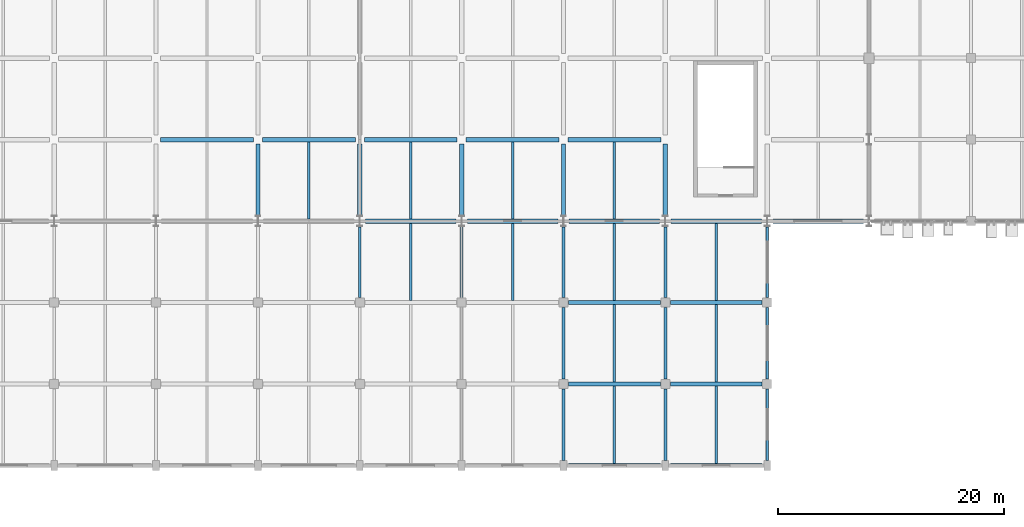
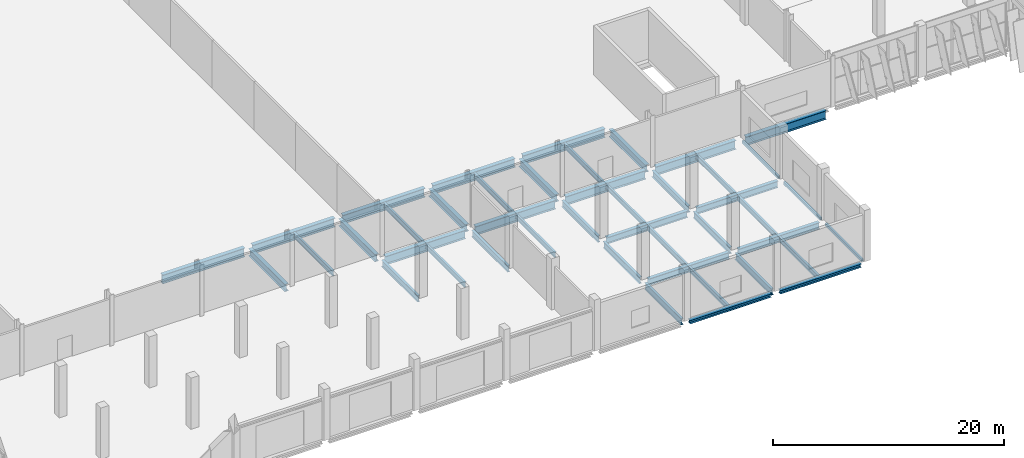
# One storey, part 19 of 137: 44 beams.
"""IFC4 building model written with IfcOpenShell, lengths in metres."""

from ifc_helpers import new_model, si_unit, direction, frame, origin, origin_2d, place, context, subcontext, project, spatial, hollow_rectangle, i_section, extrude, material, material_profile, profile_set, type_object, element, save


model = new_model("IFC4")

# Units and contexts
model_context = context("Model", 3, precision=1e-05, world=origin(), true_north=direction((0.0, 1.0)))
body_context = subcontext(model_context, "Body", "Model", "MODEL_VIEW")
ifc_project = project(units=[si_unit("LENGTHUNIT", "METRE"), si_unit("AREAUNIT", "SQUARE_METRE"), si_unit("VOLUMEUNIT", "CUBIC_METRE"), si_unit("PLANEANGLEUNIT", "RADIAN"), si_unit("MASSUNIT", "GRAM", prefix="KILO")], contexts=[model_context])

# Site, building, storey
site_placement = place(None, origin())
site = spatial("IfcSite", under=ifc_project, at=site_placement, CompositionType="ELEMENT")
building_placement = place(site_placement, origin())
building = spatial("IfcBuilding", under=site, at=building_placement, Name="Celestram Park Convention Centre", CompositionType="ELEMENT")
storey_placement = place(building_placement, origin())
storey = spatial("IfcBuildingStorey", under=building, at=storey_placement, Name="L00", CompositionType="ELEMENT", Elevation=0.0)

# Beams
ifc_material_1 = material(Name="Steel ASTM A992 Grade 50", Category="steel")
ifc_material_profile_1 = material_profile(ifc_material_1, i_section(OverallWidth=0.35595703125, OverallDepth=0.696044921875, WebThickness=0.015380859375, FlangeThickness=0.02490234375, at=origin_2d()), Name="W27X146")
ifc_profile_set_1 = profile_set([ifc_material_profile_1], Name="Steel ASTM A992 Grade 50")
beam_type_1 = type_object("IfcBeamType", Name="STR-BM-W27X146", PredefinedType="BEAM", material=ifc_profile_set_1)
for number, where, z_axis, x_axis, name in (
    (1, (99.447998046875, 7.199951171875, -0.66796875), (1.0, 0.0, 0.0), (0.0, 1.0, 0.0), "Primary X-girder BG-L00-0453"),
    (2, (99.447998046875, 14.39990234375, -0.66796875), (1.0, 0.0, 0.0), (0.0, 1.0, 0.0), "Primary X-girder BG-L00-0455"),
    (3, (108.447998046875, 7.199951171875, -0.66796875), (1.0, 0.0, 0.0), (0.0, 1.0, 0.0), "Primary X-girder BG-L00-0499"),
    (4, (108.447998046875, 14.39990234375, -0.66796875), (1.0, 0.0, 0.0), (0.0, 1.0, 0.0), "Primary X-girder BG-L00-0501"),
):
    element("IfcBeam", number, at=place(storey_placement, frame(where, z_axis=z_axis, x_axis=x_axis)), inside=storey, type_object=beam_type_1, Name=name, PredefinedType="BEAM", context=body_context, shape_type="SweptSolid", body=[
        extrude(i_section(OverallWidth=0.35595703125, OverallDepth=0.696044921875, WebThickness=0.015380859375, FlangeThickness=0.02490234375, at=origin_2d()), origin(), (0.0, 0.0, 1.0), 8.10400390625),
    ])
ifc_material_profile_2 = material_profile(ifc_material_1, i_section(OverallWidth=0.25390625, OverallDepth=0.68310546875, WebThickness=0.012451171875, FlangeThickness=0.01904296875, at=origin_2d()), Name="W27X94")
ifc_profile_set_2 = profile_set([ifc_material_profile_2], Name="Steel ASTM A992 Grade 50")
beam_type_2 = type_object("IfcBeamType", Name="STR-BM-W27X94", PredefinedType="BEAM", material=ifc_profile_set_2)
for number, where, z_axis, x_axis, name in (
    (5, (81.0, 14.847900390625, -0.66162109375), (0.0, 1.0, 0.0), (-1.0, 0.0, 0.0), "Primary Y-girder BG-L00-0366"),
    (6, (90.0, 14.847900390625, -0.66162109375), (0.0, 1.0, 0.0), (-1.0, 0.0, 0.0), "Primary Y-girder BG-L00-0411"),
):
    element("IfcBeam", number, at=place(storey_placement, frame(where, z_axis=z_axis, x_axis=x_axis)), inside=storey, type_object=beam_type_2, Name=name, PredefinedType="BEAM", context=body_context, shape_type="SweptSolid", body=[
        extrude(i_section(OverallWidth=0.25390625, OverallDepth=0.68310546875, WebThickness=0.012451171875, FlangeThickness=0.01904296875, at=origin_2d()), origin(), (0.0, 0.0, 1.0), 6.254150390625),
    ])
for number, where, z_axis, x_axis, name in (
    (7, (99.0, 0.447998046875, -0.66162109375), (0.0, 1.0, 0.0), (-1.0, 0.0, 0.0), "Primary Y-girder BG-L00-0452"),
    (8, (99.0, 7.64794921875, -0.66162109375), (0.0, 1.0, 0.0), (-1.0, 0.0, 0.0), "Primary Y-girder BG-L00-0454"),
):
    element("IfcBeam", number, at=place(storey_placement, frame(where, z_axis=z_axis, x_axis=x_axis)), inside=storey, type_object=beam_type_2, Name=name, PredefinedType="BEAM", context=body_context, shape_type="SweptSolid", body=[
        extrude(i_section(OverallWidth=0.25390625, OverallDepth=0.68310546875, WebThickness=0.012451171875, FlangeThickness=0.01904296875, at=origin_2d()), origin(), (0.0, 0.0, 1.0), 6.303955078125),
    ])
beam_1_placement = place(storey_placement, frame((99.0, 14.847900390625, -0.66162109375), z_axis=(0.0, 1.0, 0.0), x_axis=(-1.0, 0.0, 0.0)))
element("IfcBeam", 9, at=beam_1_placement, inside=storey, type_object=beam_type_2, Name="Primary Y-girder BG-L00-0456", PredefinedType="BEAM", context=body_context, shape_type="SweptSolid", body=[
    extrude(i_section(OverallWidth=0.25390625, OverallDepth=0.68310546875, WebThickness=0.012451171875, FlangeThickness=0.01904296875, at=origin_2d()), origin(), (0.0, 0.0, 1.0), 6.254150390625),
])
for number, where, z_axis, x_axis, name in (
    (10, (108.0, 0.447998046875, -0.66162109375), (0.0, 1.0, 0.0), (-1.0, 0.0, 0.0), "Primary Y-girder BG-L00-0498"),
    (11, (108.0, 7.64794921875, -0.66162109375), (0.0, 1.0, 0.0), (-1.0, 0.0, 0.0), "Primary Y-girder BG-L00-0500"),
):
    element("IfcBeam", number, at=place(storey_placement, frame(where, z_axis=z_axis, x_axis=x_axis)), inside=storey, type_object=beam_type_2, Name=name, PredefinedType="BEAM", context=body_context, shape_type="SweptSolid", body=[
        extrude(i_section(OverallWidth=0.25390625, OverallDepth=0.68310546875, WebThickness=0.012451171875, FlangeThickness=0.01904296875, at=origin_2d()), origin(), (0.0, 0.0, 1.0), 6.303955078125),
    ])
beam_2_placement = place(storey_placement, frame((108.0, 14.847900390625, -0.66162109375), z_axis=(0.0, 1.0, 0.0), x_axis=(-1.0, 0.0, 0.0)))
element("IfcBeam", 12, at=beam_2_placement, inside=storey, type_object=beam_type_2, Name="Primary Y-girder BG-L00-0502", PredefinedType="BEAM", context=body_context, shape_type="SweptSolid", body=[
    extrude(i_section(OverallWidth=0.25390625, OverallDepth=0.68310546875, WebThickness=0.012451171875, FlangeThickness=0.01904296875, at=origin_2d()), origin(), (0.0, 0.0, 1.0), 6.254150390625),
])
ifc_material_profile_3 = material_profile(ifc_material_1, i_section(OverallWidth=0.381103515625, OverallDepth=0.77197265625, WebThickness=0.0166015625, FlangeThickness=0.027099609375, at=origin_2d()), Name="W30X173")
ifc_profile_set_3 = profile_set([ifc_material_profile_3], Name="Steel ASTM A992 Grade 50")
beam_type_3 = type_object("IfcBeamType", Name="STR-BM-W30X173", PredefinedType="BEAM", material=ifc_profile_set_3)
for number, where, z_axis, x_axis, name in (
    (13, (72.0, 22.097900390625, -0.74609375), (0.0, 1.0, 0.0), (-1.0, 0.0, 0.0), "Primary Y-girder BG-L00-0321"),
    (14, (81.0, 22.097900390625, -0.74609375), (0.0, 1.0, 0.0), (-1.0, 0.0, 0.0), "Primary Y-girder BG-L00-0368"),
    (15, (90.0, 22.097900390625, -0.74609375), (0.0, 1.0, 0.0), (-1.0, 0.0, 0.0), "Primary Y-girder BG-L00-0413"),
    (16, (99.0, 22.097900390625, -0.74609375), (0.0, 1.0, 0.0), (-1.0, 0.0, 0.0), "Primary Y-girder BG-L00-0458"),
    (17, (108.0, 22.097900390625, -0.74609375), (0.0, 1.0, 0.0), (-1.0, 0.0, 0.0), "Primary Y-girder BG-L00-0504"),
):
    element("IfcBeam", number, at=place(storey_placement, frame(where, z_axis=z_axis, x_axis=x_axis)), inside=storey, type_object=beam_type_3, Name=name, PredefinedType="BEAM", context=body_context, shape_type="SweptSolid", body=[
        extrude(i_section(OverallWidth=0.381103515625, OverallDepth=0.77197265625, WebThickness=0.0166015625, FlangeThickness=0.027099609375, at=origin_2d()), origin(), (0.0, 0.0, 1.0), 6.30419921875),
    ])
ifc_material_profile_4 = material_profile(ifc_material_1, i_section(OverallWidth=0.4189453125, OverallDepth=0.927001953125, WebThickness=0.019287109375, FlangeThickness=0.031982421875, at=origin_2d()), Name="W36X231")
ifc_profile_set_4 = profile_set([ifc_material_profile_4], Name="Steel ASTM A992 Grade 50")
beam_type_4 = type_object("IfcBeamType", Name="STR-BM-W36X231", PredefinedType="BEAM", material=ifc_profile_set_4)
for number, where, z_axis, x_axis, name in (
    (18, (63.39794921875, 28.800048828125, -0.823486328125), (1.0, 0.0, 0.0), (0.0, 1.0, 0.0), "Primary X-girder BG-L00-0277"),
    (19, (72.39794921875, 28.800048828125, -0.823486328125), (1.0, 0.0, 0.0), (0.0, 1.0, 0.0), "Primary X-girder BG-L00-0322"),
):
    element("IfcBeam", number, at=place(storey_placement, frame(where, z_axis=z_axis, x_axis=x_axis)), inside=storey, type_object=beam_type_4, Name=name, PredefinedType="BEAM", context=body_context, shape_type="SweptSolid", body=[
        extrude(i_section(OverallWidth=0.4189453125, OverallDepth=0.927001953125, WebThickness=0.019287109375, FlangeThickness=0.031982421875, at=origin_2d()), origin(), (0.0, 0.0, 1.0), 8.2041015625),
    ])
beam_3_placement = place(storey_placement, frame((81.498046875, 21.60009765625, -0.823486328125), z_axis=(1.0, 0.0, 0.0), x_axis=(0.0, 1.0, 0.0)))
element("IfcBeam", 20, at=beam_3_placement, inside=storey, type_object=beam_type_4, Name="Primary X-girder BG-L00-0367", PredefinedType="BEAM", context=body_context, shape_type="SweptSolid", body=[
    extrude(i_section(OverallWidth=0.4189453125, OverallDepth=0.927001953125, WebThickness=0.019287109375, FlangeThickness=0.031982421875, at=origin_2d()), origin(), (0.0, 0.0, 1.0), 8.00390625),
])
beam_4_placement = place(storey_placement, frame((81.39794921875, 28.800048828125, -0.823486328125), z_axis=(1.0, 0.0, 0.0), x_axis=(0.0, 1.0, 0.0)))
element("IfcBeam", 21, at=beam_4_placement, inside=storey, type_object=beam_type_4, Name="Primary X-girder BG-L00-0369", PredefinedType="BEAM", context=body_context, shape_type="SweptSolid", body=[
    extrude(i_section(OverallWidth=0.4189453125, OverallDepth=0.927001953125, WebThickness=0.019287109375, FlangeThickness=0.031982421875, at=origin_2d()), origin(), (0.0, 0.0, 1.0), 8.2041015625),
])
beam_5_placement = place(storey_placement, frame((90.498046875, 21.60009765625, -0.823486328125), z_axis=(1.0, 0.0, 0.0), x_axis=(0.0, 1.0, 0.0)))
element("IfcBeam", 22, at=beam_5_placement, inside=storey, type_object=beam_type_4, Name="Primary X-girder BG-L00-0412", PredefinedType="BEAM", context=body_context, shape_type="SweptSolid", body=[
    extrude(i_section(OverallWidth=0.4189453125, OverallDepth=0.927001953125, WebThickness=0.019287109375, FlangeThickness=0.031982421875, at=origin_2d()), origin(), (0.0, 0.0, 1.0), 8.00390625),
])
beam_6_placement = place(storey_placement, frame((90.39794921875, 28.800048828125, -0.823486328125), z_axis=(1.0, 0.0, 0.0), x_axis=(0.0, 1.0, 0.0)))
element("IfcBeam", 23, at=beam_6_placement, inside=storey, type_object=beam_type_4, Name="Primary X-girder BG-L00-0414", PredefinedType="BEAM", context=body_context, shape_type="SweptSolid", body=[
    extrude(i_section(OverallWidth=0.4189453125, OverallDepth=0.927001953125, WebThickness=0.019287109375, FlangeThickness=0.031982421875, at=origin_2d()), origin(), (0.0, 0.0, 1.0), 8.2041015625),
])
beam_7_placement = place(storey_placement, frame((99.498046875, 21.60009765625, -0.823486328125), z_axis=(1.0, 0.0, 0.0), x_axis=(0.0, 1.0, 0.0)))
element("IfcBeam", 24, at=beam_7_placement, inside=storey, type_object=beam_type_4, Name="Primary X-girder BG-L00-0457", PredefinedType="BEAM", context=body_context, shape_type="SweptSolid", body=[
    extrude(i_section(OverallWidth=0.4189453125, OverallDepth=0.927001953125, WebThickness=0.019287109375, FlangeThickness=0.031982421875, at=origin_2d()), origin(), (0.0, 0.0, 1.0), 8.00390625),
])
beam_8_placement = place(storey_placement, frame((99.39794921875, 28.800048828125, -0.823486328125), z_axis=(1.0, 0.0, 0.0), x_axis=(0.0, 1.0, 0.0)))
element("IfcBeam", 25, at=beam_8_placement, inside=storey, type_object=beam_type_4, Name="Primary X-girder BG-L00-0459", PredefinedType="BEAM", context=body_context, shape_type="SweptSolid", body=[
    extrude(i_section(OverallWidth=0.4189453125, OverallDepth=0.927001953125, WebThickness=0.019287109375, FlangeThickness=0.031982421875, at=origin_2d()), origin(), (0.0, 0.0, 1.0), 8.2041015625),
])
for number, where, z_axis, x_axis, name in (
    (26, (108.498046875, 21.60009765625, -0.823486328125), (1.0, 0.0, 0.0), (0.0, 1.0, 0.0), "Primary X-girder BG-L00-0503"),
    (27, (117.498046875, 21.60009765625, -0.823486328125), (1.0, 0.0, 0.0), (0.0, 1.0, 0.0), "Primary X-girder BG-L00-0543"),
):
    element("IfcBeam", number, at=place(storey_placement, frame(where, z_axis=z_axis, x_axis=x_axis)), inside=storey, type_object=beam_type_4, Name=name, PredefinedType="BEAM", context=body_context, shape_type="SweptSolid", body=[
        extrude(i_section(OverallWidth=0.4189453125, OverallDepth=0.927001953125, WebThickness=0.019287109375, FlangeThickness=0.031982421875, at=origin_2d()), origin(), (0.0, 0.0, 1.0), 8.00390625),
    ])
ifc_material_profile_5 = material_profile(ifc_material_1, i_section(OverallWidth=0.2099609375, OverallDepth=0.532958984375, WebThickness=0.01025390625, FlangeThickness=0.015625, at=origin_2d()), Name="W21X62")
ifc_profile_set_5 = profile_set([ifc_material_profile_5], Name="Steel ASTM A992 Grade 50")
beam_type_5 = type_object("IfcBeamType", Name="STR-JST-W21X62", PredefinedType="JOIST", material=ifc_profile_set_5)
for number, where, z_axis, x_axis, name in (
    (28, (85.5, 14.573974609375, -0.58642578125), (0.0, 1.0, 0.0), (-1.0, 0.0, 0.0), "Secondary composite joist BG-L00-1048"),
    (29, (94.5, 14.573974609375, -0.58642578125), (0.0, 1.0, 0.0), (-1.0, 0.0, 0.0), "Secondary composite joist BG-L00-1068"),
):
    element("IfcBeam", number, at=place(storey_placement, frame(where, z_axis=z_axis, x_axis=x_axis)), inside=storey, type_object=beam_type_5, Name=name, PredefinedType="JOIST", context=body_context, shape_type="SweptSolid", body=[
        extrude(i_section(OverallWidth=0.2099609375, OverallDepth=0.532958984375, WebThickness=0.01025390625, FlangeThickness=0.015625, at=origin_2d()), origin(), (0.0, 0.0, 1.0), 6.821044921875),
    ])
beam_9_placement = place(storey_placement, frame((103.5, 0.181884765625, -0.58642578125), z_axis=(0.0, 1.0, 0.0), x_axis=(-1.0, 0.0, 0.0)))
element("IfcBeam", 30, at=beam_9_placement, inside=storey, type_object=beam_type_5, Name="Secondary composite joist BG-L00-1086", PredefinedType="JOIST", context=body_context, shape_type="SweptSolid", body=[
    extrude(i_section(OverallWidth=0.2099609375, OverallDepth=0.532958984375, WebThickness=0.01025390625, FlangeThickness=0.015625, at=origin_2d()), origin(), (0.0, 0.0, 1.0), 6.843994140625),
])
beam_10_placement = place(storey_placement, frame((103.5, 7.3740234375, -0.58642578125), z_axis=(0.0, 1.0, 0.0), x_axis=(-1.0, 0.0, 0.0)))
element("IfcBeam", 31, at=beam_10_placement, inside=storey, type_object=beam_type_5, Name="Secondary composite joist BG-L00-1087", PredefinedType="JOIST", context=body_context, shape_type="SweptSolid", body=[
    extrude(i_section(OverallWidth=0.2099609375, OverallDepth=0.532958984375, WebThickness=0.01025390625, FlangeThickness=0.015625, at=origin_2d()), origin(), (0.0, 0.0, 1.0), 6.85205078125),
])
beam_11_placement = place(storey_placement, frame((103.5, 14.573974609375, -0.58642578125), z_axis=(0.0, 1.0, 0.0), x_axis=(-1.0, 0.0, 0.0)))
element("IfcBeam", 32, at=beam_11_placement, inside=storey, type_object=beam_type_5, Name="Secondary composite joist BG-L00-1088", PredefinedType="JOIST", context=body_context, shape_type="SweptSolid", body=[
    extrude(i_section(OverallWidth=0.2099609375, OverallDepth=0.532958984375, WebThickness=0.01025390625, FlangeThickness=0.015625, at=origin_2d()), origin(), (0.0, 0.0, 1.0), 6.821044921875),
])
beam_12_placement = place(storey_placement, frame((112.5, 0.181884765625, -0.58642578125), z_axis=(0.0, 1.0, 0.0), x_axis=(-1.0, 0.0, 0.0)))
element("IfcBeam", 33, at=beam_12_placement, inside=storey, type_object=beam_type_5, Name="Secondary composite joist BG-L00-1107", PredefinedType="JOIST", context=body_context, shape_type="SweptSolid", body=[
    extrude(i_section(OverallWidth=0.2099609375, OverallDepth=0.532958984375, WebThickness=0.01025390625, FlangeThickness=0.015625, at=origin_2d()), origin(), (0.0, 0.0, 1.0), 6.843994140625),
])
beam_13_placement = place(storey_placement, frame((112.5, 7.3740234375, -0.58642578125), z_axis=(0.0, 1.0, 0.0), x_axis=(-1.0, 0.0, 0.0)))
element("IfcBeam", 34, at=beam_13_placement, inside=storey, type_object=beam_type_5, Name="Secondary composite joist BG-L00-1108", PredefinedType="JOIST", context=body_context, shape_type="SweptSolid", body=[
    extrude(i_section(OverallWidth=0.2099609375, OverallDepth=0.532958984375, WebThickness=0.01025390625, FlangeThickness=0.015625, at=origin_2d()), origin(), (0.0, 0.0, 1.0), 6.85205078125),
])
beam_14_placement = place(storey_placement, frame((112.5, 14.573974609375, -0.58642578125), z_axis=(0.0, 1.0, 0.0), x_axis=(-1.0, 0.0, 0.0)))
element("IfcBeam", 35, at=beam_14_placement, inside=storey, type_object=beam_type_5, Name="Secondary composite joist BG-L00-1109", PredefinedType="JOIST", context=body_context, shape_type="SweptSolid", body=[
    extrude(i_section(OverallWidth=0.2099609375, OverallDepth=0.532958984375, WebThickness=0.01025390625, FlangeThickness=0.015625, at=origin_2d()), origin(), (0.0, 0.0, 1.0), 6.821044921875),
])
ifc_material_profile_6 = material_profile(ifc_material_1, i_section(OverallWidth=0.214111328125, OverallDepth=0.549072265625, WebThickness=0.0146484375, FlangeThickness=0.023681640625, at=origin_2d()), Name="W21X93")
ifc_profile_set_6 = profile_set([ifc_material_profile_6], Name="Steel ASTM A992 Grade 50")
beam_type_6 = type_object("IfcBeamType", Name="STR-JST-W21X93", PredefinedType="JOIST", material=ifc_profile_set_6)
for number, where, z_axis, x_axis, name in (
    (36, (76.5, 21.804931640625, -0.634521484375), (0.0, 1.0, 0.0), (-1.0, 0.0, 0.0), "Secondary composite joist BG-L00-1026"),
    (37, (85.5, 21.804931640625, -0.634521484375), (0.0, 1.0, 0.0), (-1.0, 0.0, 0.0), "Secondary composite joist BG-L00-1049"),
    (38, (94.5, 21.804931640625, -0.634521484375), (0.0, 1.0, 0.0), (-1.0, 0.0, 0.0), "Secondary composite joist BG-L00-1069"),
    (39, (103.5, 21.804931640625, -0.634521484375), (0.0, 1.0, 0.0), (-1.0, 0.0, 0.0), "Secondary composite joist BG-L00-1089"),
):
    element("IfcBeam", number, at=place(storey_placement, frame(where, z_axis=z_axis, x_axis=x_axis)), inside=storey, type_object=beam_type_6, Name=name, PredefinedType="JOIST", context=body_context, shape_type="SweptSolid", body=[
        extrude(i_section(OverallWidth=0.214111328125, OverallDepth=0.549072265625, WebThickness=0.0146484375, FlangeThickness=0.023681640625, at=origin_2d()), origin(), (0.0, 0.0, 1.0), 6.7900390625),
    ])
ifc_material_2 = material(Name="Steel ASTM A500 Grade C", Category="steel")
ifc_material_profile_7 = material_profile(ifc_material_2, hollow_rectangle(XDim=0.199951171875, YDim=0.300048828125, WallThickness=0.011962890625, at=origin_2d()), Name="HSS300X200X12")
ifc_profile_set_7 = profile_set([ifc_material_profile_7], Name="Steel ASTM A500 Grade C")
beam_type_7 = type_object("IfcBeamType", Name="STR-SPN-HSS300X200", PredefinedType="SPANDREL", material=ifc_profile_set_7)
for number, where, z_axis, x_axis, name in (
    (40, (117.0, 0.447998046875, -0.469970703125), (0.0, 1.0, 0.0), (-1.0, 0.0, 0.0), "Primary Y-girder BG-L00-0540"),
    (41, (117.0, 7.64794921875, -0.469970703125), (0.0, 1.0, 0.0), (-1.0, 0.0, 0.0), "Primary Y-girder BG-L00-0541"),
):
    element("IfcBeam", number, at=place(storey_placement, frame(where, z_axis=z_axis, x_axis=x_axis)), inside=storey, type_object=beam_type_7, Name=name, PredefinedType="SPANDREL", context=body_context, shape_type="SweptSolid", body=[
        extrude(hollow_rectangle(XDim=0.199951171875, YDim=0.300048828125, WallThickness=0.011962890625, at=origin_2d()), origin(), (0.0, 0.0, 1.0), 6.303955078125),
    ])
beam_15_placement = place(storey_placement, frame((117.0, 14.847900390625, -0.469970703125), z_axis=(0.0, 1.0, 0.0), x_axis=(-1.0, 0.0, 0.0)))
element("IfcBeam", 42, at=beam_15_placement, inside=storey, type_object=beam_type_7, Name="Primary Y-girder BG-L00-0542", PredefinedType="SPANDREL", context=body_context, shape_type="SweptSolid", body=[
    extrude(hollow_rectangle(XDim=0.199951171875, YDim=0.300048828125, WallThickness=0.011962890625, at=origin_2d()), origin(), (0.0, 0.0, 1.0), 6.254150390625),
])
ifc_material_profile_8 = material_profile(ifc_material_1, i_section(OverallWidth=0.373046875, OverallDepth=0.373046875, WebThickness=0.016357421875, FlangeThickness=0.026123046875, at=origin_2d()), Name="W14X132")
ifc_profile_set_8 = profile_set([ifc_material_profile_8], Name="Steel ASTM A992 Grade 50")
beam_type_8 = type_object("IfcBeamType", Name="STR-SPN-W14X132", PredefinedType="SPANDREL", material=ifc_profile_set_8)
for number, where, z_axis, x_axis, name in (
    (43, (99.447998046875, 0.0, -0.506591796875), (1.0, 0.0, 0.0), (0.0, 1.0, 0.0), "Primary X-girder BG-L00-0451"),
    (44, (108.447998046875, 0.0, -0.506591796875), (1.0, 0.0, 0.0), (0.0, 1.0, 0.0), "Primary X-girder BG-L00-0497"),
):
    element("IfcBeam", number, at=place(storey_placement, frame(where, z_axis=z_axis, x_axis=x_axis)), inside=storey, type_object=beam_type_8, Name=name, PredefinedType="SPANDREL", context=body_context, shape_type="SweptSolid", body=[
        extrude(i_section(OverallWidth=0.373046875, OverallDepth=0.373046875, WebThickness=0.016357421875, FlangeThickness=0.026123046875, at=origin_2d()), origin(), (0.0, 0.0, 1.0), 8.10400390625),
    ])

save(model, "model.ifc")
